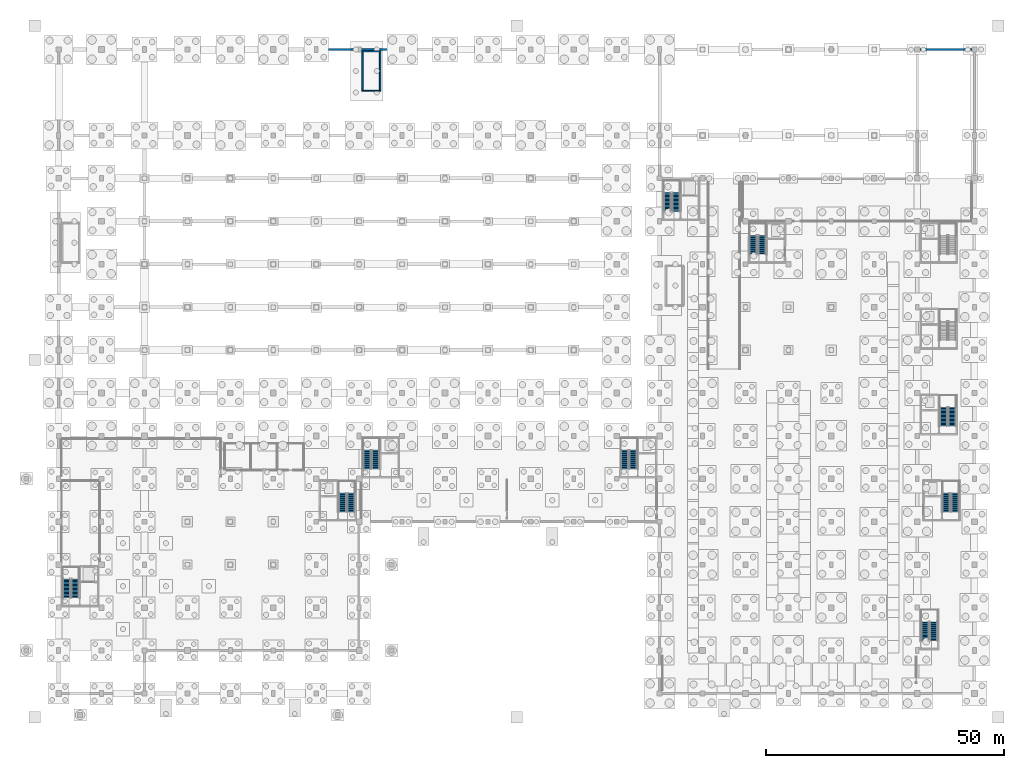
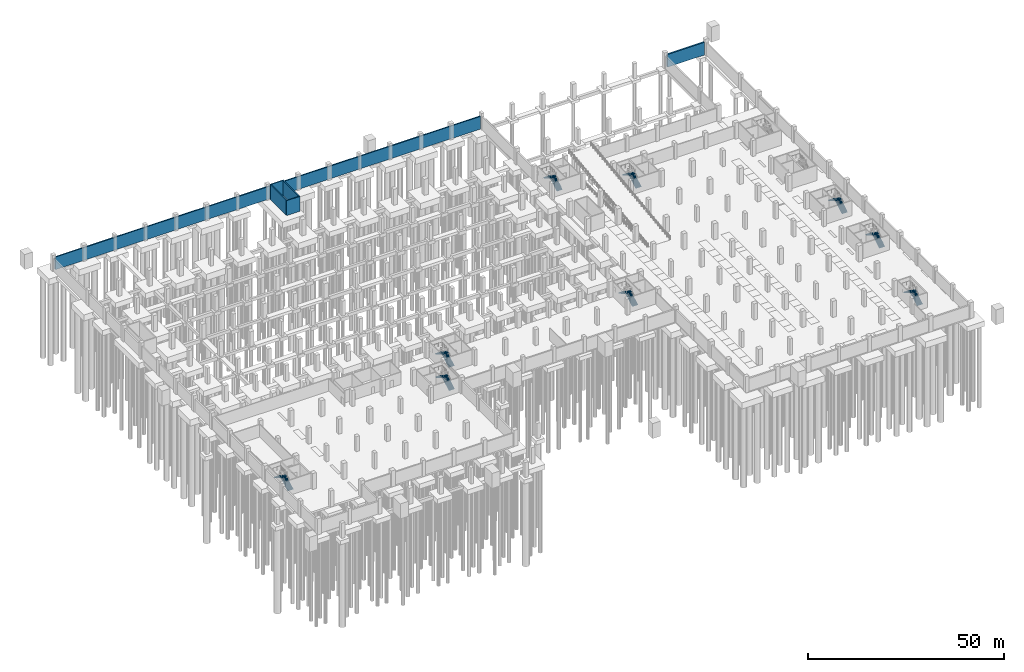
# One storey, part 22 of 37: 18 stair flights, 6 walls, 9 elements without a shape of their own.
"""IFC4 building model written with IfcOpenShell, lengths in metres."""

from ifc_helpers import new_model, si_unit, direction, frame, frame_2d, origin, place, context, subcontext, project, spatial, polyline, rectangle, outline, extrude, material, layer, layer_set, type_object, element, aggregate, save


model = new_model("IFC4")

# Units and contexts
model_context = context("Model", 3, precision=1e-05, world=origin(), true_north=direction((0.0, 1.0)))
body_context = subcontext(model_context, "Body", "Model", "MODEL_VIEW")
ifc_project = project(units=[si_unit("LENGTHUNIT", "METRE"), si_unit("AREAUNIT", "SQUARE_METRE"), si_unit("VOLUMEUNIT", "CUBIC_METRE"), si_unit("PLANEANGLEUNIT", "RADIAN"), si_unit("MASSUNIT", "GRAM", prefix="KILO")], contexts=[model_context])

# Site, building, storey
site_placement = place(None, origin())
site = spatial("IfcSite", under=ifc_project, at=site_placement, CompositionType="ELEMENT")
building_placement = place(site_placement, origin())
building = spatial("IfcBuilding", under=site, at=building_placement, Name="Barlavento Convention Centre", CompositionType="ELEMENT")
storey_placement = place(building_placement, frame((0.0, 0.0, -5.0)))
storey = spatial("IfcBuildingStorey", under=building, at=storey_placement, Name="B1", CompositionType="ELEMENT", Elevation=-5.0)

# Walls
ifc_material_1 = material(Name="Concrete C50/60", Category="concrete")
ifc_layer_1 = layer(ifc_material_1, 0.25)
ifc_layer_set_1 = layer_set([ifc_layer_1], Name="STR-WL-CORE-250")
wall_type_1 = type_object("IfcWallType", Name="STR-WL-CORE-250", PredefinedType="SHEAR", material=ifc_layer_set_1)
for number, where, z_axis, x_axis, name in (
    (1, (63.60009765625, 126.344970703125, 0.0), (0.0, 0.0, 1.0), (1.0, 0.0, 0.0), "B1 interior wall CW-02"),
    (2, (63.60009765625, 134.655029296875, 0.0), (0.0, 0.0, 1.0), (1.0, 0.0, 0.0), "B1 interior wall CW-02"),
):
    element("IfcWall", number, at=place(storey_placement, frame(where, z_axis=z_axis, x_axis=x_axis)), inside=storey, type_object=wall_type_1, Name=name, PredefinedType="SHEAR", context=body_context, shape_type="SweptSolid", body=[
        extrude(rectangle(XDim=3.93994140625, YDim=0.25, at=frame_2d((1.969970703125, 0.0))), origin(), (0.0, 0.0, 1.0), 4.6201171875),
    ])
ifc_layer_2 = layer(ifc_material_1, 0.300048828125)
ifc_layer_set_2 = layer_set([ifc_layer_2], Name="STR-WL-CORE-300")
wall_type_2 = type_object("IfcWallType", Name="STR-WL-CORE-300", PredefinedType="SHEAR", material=ifc_layer_set_2)
for number, where, z_axis, x_axis, name in (
    (3, (63.72509765625, 126.469970703125, 0.0), (0.0, 0.0, 1.0), (0.0, 1.0, 0.0), "B1 interior wall CW-01"),
    (4, (67.4150390625, 126.469970703125, 0.0), (0.0, 0.0, 1.0), (0.0, 1.0, 0.0), "B1 interior wall CW-01"),
):
    element("IfcWall", number, at=place(storey_placement, frame(where, z_axis=z_axis, x_axis=x_axis)), inside=storey, type_object=wall_type_2, Name=name, PredefinedType="SHEAR", context=body_context, shape_type="SweptSolid", body=[
        extrude(rectangle(XDim=8.06005859375, YDim=0.300048828125, at=frame_2d((4.030029296875, 0.0))), origin(), (0.0, 0.0, 1.0), 4.6201171875),
    ])
ifc_material_2 = material(Name="Concrete C40/50", Category="concrete")
ifc_layer_3 = layer(ifc_material_2, 0.449951171875)
ifc_layer_set_3 = layer_set([ifc_layer_3], Name="STR-WL-RET-450")
wall_type_3 = type_object("IfcWallType", Name="STR-WL-RET-450", PredefinedType="SHEAR", material=ifc_layer_set_3)
wall_1_placement = place(storey_placement, frame((180.544921875, 135.0, 0.0), z_axis=(0.0, 0.0, 1.0), x_axis=(1.0, 0.0, 0.0)))
element("IfcWall", 5, at=wall_1_placement, inside=storey, type_object=wall_type_3, Name="B1 exterior wall RW01", PredefinedType="SHEAR", context=body_context, shape_type="SweptSolid", body=[
    extrude(rectangle(XDim=10.91015625, YDim=0.449951171875, at=frame_2d((5.455078125, 0.0))), origin(), (0.0, 0.0, 1.0), 3.949951171875),
])
ifc_layer_4 = layer(ifc_material_2, 0.35009765625)
ifc_layer_set_4 = layer_set([ifc_layer_4], Name="STR-WL-SHR-350")
wall_type_4 = type_object("IfcWallType", Name="STR-WL-SHR-350", PredefinedType="SHEAR", material=ifc_layer_set_4)
wall_2_placement = place(storey_placement, frame((0.544921875, 135.0, 0.0), z_axis=(0.0, 0.0, 1.0), x_axis=(1.0, 0.0, 0.0)))
element("IfcWall", 6, at=wall_2_placement, inside=storey, type_object=wall_type_4, Name="B1 exterior wall SW02", PredefinedType="SHEAR", context=body_context, shape_type="SweptSolid", body=[
    extrude(rectangle(XDim=125.06005859375, YDim=0.35009765625, at=frame_2d((62.530029296875, 0.0))), origin(), (0.0, 0.0, 1.0), 3.949951171875),
])

# Stair, stair flights
stair_type_1 = type_object("IfcStairType", Name="ARC-STR-DOG-1600", PredefinedType="HALF_TURN_STAIR", material=ifc_material_2)
stair_1_placement = place(storey_placement, origin())
stair_1 = element("IfcStair", 7, at=stair_1_placement, inside=storey, type_object=stair_type_1, Name="B1 ST10", PredefinedType="HALF_TURN_STAIR")
stair_flight_type_1 = type_object("IfcStairFlightType", Name="ARC-FLT-STR-1600", PredefinedType="STRAIGHT", material=ifc_material_2)
stair_flight_1_placement = place(storey_placement, frame((129.449951171875, 101.070068359375, 0.0), z_axis=(0.0, 0.0, 1.0), x_axis=(0.0, 1.0, 0.0)))
stair_flight_1 = element("IfcStairFlight", 8, at=stair_flight_1_placement, type_object=stair_flight_type_1, Name="ST10 flight 1", NumberOfRisers=15, NumberOfTreads=14, PredefinedType="STRAIGHT", RiserHeight=0.166666667, TreadLength=0.28, context=body_context, shape_type="SweptSolid", body=[
    extrude(outline(polyline([(0.0, 0.0), (0.0, 0.166748046875), (0.280029296875, 0.166748046875), (0.280029296875, 0.333251953125), (0.56005859375, 0.333251953125), (0.56005859375, 0.5), (0.840087890625, 0.5), (0.840087890625, 0.666748046875), (1.1201171875, 0.666748046875), (1.1201171875, 0.833251953125), (1.39990234375, 0.833251953125), (1.39990234375, 1.0), (1.679931640625, 1.0), (1.679931640625, 1.166748046875), (1.9599609375, 1.166748046875), (1.9599609375, 1.333251953125), (2.239990234375, 1.333251953125), (2.239990234375, 1.5), (2.52001953125, 1.5), (2.52001953125, 1.666748046875), (2.800048828125, 1.666748046875), (2.800048828125, 1.833251953125), (3.080078125, 1.833251953125), (3.080078125, 2.0), (3.360107421875, 2.0), (3.360107421875, 2.166748046875), (3.639892578125, 2.166748046875), (3.639892578125, 2.333251953125), (3.919921875, 2.333251953125), (3.919921875, 2.5), (3.919921875, 2.158935546875), (0.29296875, 0.0), (0.0, 0.0)])), frame((0.0, 0.800048828125, 0.0), z_axis=(0.0, -1.0, 0.0), x_axis=(1.0, 0.0, 0.0)), (0.0, 0.0, 1.0), 1.60009765625),
])
stair_flight_2_placement = place(storey_placement, frame((127.64990234375, 104.989990234375, 2.5), z_axis=(0.0, 0.0, 1.0), x_axis=(0.0, -1.0, 0.0)))
stair_flight_2 = element("IfcStairFlight", 9, at=stair_flight_2_placement, type_object=stair_flight_type_1, Name="ST10 flight 2", NumberOfRisers=15, NumberOfTreads=14, PredefinedType="STRAIGHT", RiserHeight=0.166666667, TreadLength=0.28, context=body_context, shape_type="SweptSolid", body=[
    extrude(outline(polyline([(0.0, 0.0), (0.0, 0.166748046875), (0.280029296875, 0.166748046875), (0.280029296875, 0.333251953125), (0.56005859375, 0.333251953125), (0.56005859375, 0.5), (0.840087890625, 0.5), (0.840087890625, 0.666748046875), (1.1201171875, 0.666748046875), (1.1201171875, 0.833251953125), (1.39990234375, 0.833251953125), (1.39990234375, 1.0), (1.679931640625, 1.0), (1.679931640625, 1.166748046875), (1.9599609375, 1.166748046875), (1.9599609375, 1.333251953125), (2.239990234375, 1.333251953125), (2.239990234375, 1.5), (2.52001953125, 1.5), (2.52001953125, 1.666748046875), (2.800048828125, 1.666748046875), (2.800048828125, 1.833251953125), (3.080078125, 1.833251953125), (3.080078125, 2.0), (3.360107421875, 2.0), (3.360107421875, 2.166748046875), (3.639892578125, 2.166748046875), (3.639892578125, 2.333251953125), (3.919921875, 2.333251953125), (3.919921875, 2.5), (3.919921875, 2.158935546875), (0.29296875, 0.0), (0.0, 0.0)])), frame((0.0, 0.800048828125, 0.0), z_axis=(0.0, -1.0, 0.0), x_axis=(1.0, 0.0, 0.0)), (0.0, 0.0, 1.0), 1.60009765625),
])
aggregate(stair_1, [stair_flight_1, stair_flight_2])

stair_type_2 = type_object("IfcStairType", Name="ARC-STR-DOG-1620", PredefinedType="HALF_TURN_STAIR", material=ifc_material_2)
stair_2_placement = place(storey_placement, origin())
stair_2 = element("IfcStair", 10, at=stair_2_placement, inside=storey, type_object=stair_type_2, Name="B1 ST01", PredefinedType="HALF_TURN_STAIR")
stair_flight_type_2 = type_object("IfcStairFlightType", Name="ARC-FLT-STR-1620", PredefinedType="STRAIGHT", material=ifc_material_2)
stair_flight_3_placement = place(storey_placement, frame((3.47998046875, 20.090087890625, 0.0), z_axis=(0.0, 0.0, 1.0), x_axis=(0.0, 1.0, 0.0)))
stair_flight_3 = element("IfcStairFlight", 11, at=stair_flight_3_placement, type_object=stair_flight_type_2, Name="ST01 flight 1", NumberOfRisers=15, NumberOfTreads=14, PredefinedType="STRAIGHT", RiserHeight=0.166666667, TreadLength=0.28, context=body_context, shape_type="SweptSolid", body=[
    extrude(outline(polyline([(0.0, 0.0), (0.0, 0.166748046875), (0.280029296875, 0.166748046875), (0.280029296875, 0.333251953125), (0.56005859375, 0.333251953125), (0.56005859375, 0.5), (0.840087890625, 0.5), (0.840087890625, 0.666748046875), (1.1201171875, 0.666748046875), (1.1201171875, 0.833251953125), (1.39990234375, 0.833251953125), (1.39990234375, 1.0), (1.679931640625, 1.0), (1.679931640625, 1.166748046875), (1.9599609375, 1.166748046875), (1.9599609375, 1.333251953125), (2.239990234375, 1.333251953125), (2.239990234375, 1.5), (2.52001953125, 1.5), (2.52001953125, 1.666748046875), (2.800048828125, 1.666748046875), (2.800048828125, 1.833251953125), (3.080078125, 1.833251953125), (3.080078125, 2.0), (3.360107421875, 2.0), (3.360107421875, 2.166748046875), (3.639892578125, 2.166748046875), (3.639892578125, 2.333251953125), (3.919921875, 2.333251953125), (3.919921875, 2.5), (3.919921875, 2.158935546875), (0.29296875, 0.0), (0.0, 0.0)])), frame((0.0, 0.81005859375, 0.0), z_axis=(0.0, -1.0, 0.0), x_axis=(1.0, 0.0, 0.0)), (0.0, 0.0, 1.0), 1.6201171875),
])
stair_flight_4_placement = place(storey_placement, frame((1.659912109375, 24.010009765625, 2.5), z_axis=(0.0, 0.0, 1.0), x_axis=(0.0, -1.0, 0.0)))
stair_flight_4 = element("IfcStairFlight", 12, at=stair_flight_4_placement, type_object=stair_flight_type_2, Name="ST01 flight 2", NumberOfRisers=15, NumberOfTreads=14, PredefinedType="STRAIGHT", RiserHeight=0.166666667, TreadLength=0.28, context=body_context, shape_type="SweptSolid", body=[
    extrude(outline(polyline([(0.0, 0.0), (0.0, 0.166748046875), (0.280029296875, 0.166748046875), (0.280029296875, 0.333251953125), (0.56005859375, 0.333251953125), (0.56005859375, 0.5), (0.840087890625, 0.5), (0.840087890625, 0.666748046875), (1.1201171875, 0.666748046875), (1.1201171875, 0.833251953125), (1.39990234375, 0.833251953125), (1.39990234375, 1.0), (1.679931640625, 1.0), (1.679931640625, 1.166748046875), (1.9599609375, 1.166748046875), (1.9599609375, 1.333251953125), (2.239990234375, 1.333251953125), (2.239990234375, 1.5), (2.52001953125, 1.5), (2.52001953125, 1.666748046875), (2.800048828125, 1.666748046875), (2.800048828125, 1.833251953125), (3.080078125, 1.833251953125), (3.080078125, 2.0), (3.360107421875, 2.0), (3.360107421875, 2.166748046875), (3.639892578125, 2.166748046875), (3.639892578125, 2.333251953125), (3.919921875, 2.333251953125), (3.919921875, 2.5), (3.919921875, 2.158935546875), (0.29296875, 0.0), (0.0, 0.0)])), frame((0.0, 0.81005859375, 0.0), z_axis=(0.0, -1.0, 0.0), x_axis=(1.0, 0.0, 0.0)), (0.0, 0.0, 1.0), 1.6201171875),
])
aggregate(stair_2, [stair_flight_3, stair_flight_4])

stair_3_placement = place(storey_placement, origin())
stair_3 = element("IfcStair", 13, at=stair_3_placement, inside=storey, type_object=stair_type_2, Name="B1 ST02", PredefinedType="HALF_TURN_STAIR")
stair_flight_5_placement = place(storey_placement, frame((61.340087890625, 38.090087890625, 0.0), z_axis=(0.0, 0.0, 1.0), x_axis=(0.0, 1.0, 0.0)))
stair_flight_5 = element("IfcStairFlight", 14, at=stair_flight_5_placement, type_object=stair_flight_type_2, Name="ST02 flight 1", NumberOfRisers=15, NumberOfTreads=14, PredefinedType="STRAIGHT", RiserHeight=0.166666667, TreadLength=0.28, context=body_context, shape_type="SweptSolid", body=[
    extrude(outline(polyline([(0.0, 0.0), (0.0, 0.166748046875), (0.280029296875, 0.166748046875), (0.280029296875, 0.333251953125), (0.56005859375, 0.333251953125), (0.56005859375, 0.5), (0.840087890625, 0.5), (0.840087890625, 0.666748046875), (1.1201171875, 0.666748046875), (1.1201171875, 0.833251953125), (1.39990234375, 0.833251953125), (1.39990234375, 1.0), (1.679931640625, 1.0), (1.679931640625, 1.166748046875), (1.9599609375, 1.166748046875), (1.9599609375, 1.333251953125), (2.239990234375, 1.333251953125), (2.239990234375, 1.5), (2.52001953125, 1.5), (2.52001953125, 1.666748046875), (2.800048828125, 1.666748046875), (2.800048828125, 1.833251953125), (3.080078125, 1.833251953125), (3.080078125, 2.0), (3.360107421875, 2.0), (3.360107421875, 2.166748046875), (3.639892578125, 2.166748046875), (3.639892578125, 2.333251953125), (3.919921875, 2.333251953125), (3.919921875, 2.5), (3.919921875, 2.158935546875), (0.29296875, 0.0), (0.0, 0.0)])), frame((0.0, 0.81005859375, 0.0), z_axis=(0.0, -1.0, 0.0), x_axis=(1.0, 0.0, 0.0)), (0.0, 0.0, 1.0), 1.6201171875),
])
stair_flight_6_placement = place(storey_placement, frame((59.52001953125, 42.010009765625, 2.5), z_axis=(0.0, 0.0, 1.0), x_axis=(0.0, -1.0, 0.0)))
stair_flight_6 = element("IfcStairFlight", 15, at=stair_flight_6_placement, type_object=stair_flight_type_2, Name="ST02 flight 2", NumberOfRisers=15, NumberOfTreads=14, PredefinedType="STRAIGHT", RiserHeight=0.166666667, TreadLength=0.28, context=body_context, shape_type="SweptSolid", body=[
    extrude(outline(polyline([(0.0, 0.0), (0.0, 0.166748046875), (0.280029296875, 0.166748046875), (0.280029296875, 0.333251953125), (0.56005859375, 0.333251953125), (0.56005859375, 0.5), (0.840087890625, 0.5), (0.840087890625, 0.666748046875), (1.1201171875, 0.666748046875), (1.1201171875, 0.833251953125), (1.39990234375, 0.833251953125), (1.39990234375, 1.0), (1.679931640625, 1.0), (1.679931640625, 1.166748046875), (1.9599609375, 1.166748046875), (1.9599609375, 1.333251953125), (2.239990234375, 1.333251953125), (2.239990234375, 1.5), (2.52001953125, 1.5), (2.52001953125, 1.666748046875), (2.800048828125, 1.666748046875), (2.800048828125, 1.833251953125), (3.080078125, 1.833251953125), (3.080078125, 2.0), (3.360107421875, 2.0), (3.360107421875, 2.166748046875), (3.639892578125, 2.166748046875), (3.639892578125, 2.333251953125), (3.919921875, 2.333251953125), (3.919921875, 2.5), (3.919921875, 2.158935546875), (0.29296875, 0.0), (0.0, 0.0)])), frame((0.0, 0.81005859375, 0.0), z_axis=(0.0, -1.0, 0.0), x_axis=(1.0, 0.0, 0.0)), (0.0, 0.0, 1.0), 1.6201171875),
])
aggregate(stair_3, [stair_flight_5, stair_flight_6])

stair_4_placement = place(storey_placement, origin())
stair_4 = element("IfcStair", 16, at=stair_4_placement, inside=storey, type_object=stair_type_2, Name="B1 ST03", PredefinedType="HALF_TURN_STAIR")
stair_flight_7_placement = place(storey_placement, frame((66.47998046875, 47.090087890625, 0.0), z_axis=(0.0, 0.0, 1.0), x_axis=(0.0, 1.0, 0.0)))
stair_flight_7 = element("IfcStairFlight", 17, at=stair_flight_7_placement, type_object=stair_flight_type_2, Name="ST03 flight 1", NumberOfRisers=15, NumberOfTreads=14, PredefinedType="STRAIGHT", RiserHeight=0.166666667, TreadLength=0.28, context=body_context, shape_type="SweptSolid", body=[
    extrude(outline(polyline([(0.0, 0.0), (0.0, 0.166748046875), (0.280029296875, 0.166748046875), (0.280029296875, 0.333251953125), (0.56005859375, 0.333251953125), (0.56005859375, 0.5), (0.840087890625, 0.5), (0.840087890625, 0.666748046875), (1.1201171875, 0.666748046875), (1.1201171875, 0.833251953125), (1.39990234375, 0.833251953125), (1.39990234375, 1.0), (1.679931640625, 1.0), (1.679931640625, 1.166748046875), (1.9599609375, 1.166748046875), (1.9599609375, 1.333251953125), (2.239990234375, 1.333251953125), (2.239990234375, 1.5), (2.52001953125, 1.5), (2.52001953125, 1.666748046875), (2.800048828125, 1.666748046875), (2.800048828125, 1.833251953125), (3.080078125, 1.833251953125), (3.080078125, 2.0), (3.360107421875, 2.0), (3.360107421875, 2.166748046875), (3.639892578125, 2.166748046875), (3.639892578125, 2.333251953125), (3.919921875, 2.333251953125), (3.919921875, 2.5), (3.919921875, 2.158935546875), (0.29296875, 0.0), (0.0, 0.0)])), frame((0.0, 0.81005859375, 0.0), z_axis=(0.0, -1.0, 0.0), x_axis=(1.0, 0.0, 0.0)), (0.0, 0.0, 1.0), 1.6201171875),
])
stair_flight_8_placement = place(storey_placement, frame((64.659912109375, 51.010009765625, 2.5), z_axis=(0.0, 0.0, 1.0), x_axis=(0.0, -1.0, 0.0)))
stair_flight_8 = element("IfcStairFlight", 18, at=stair_flight_8_placement, type_object=stair_flight_type_2, Name="ST03 flight 2", NumberOfRisers=15, NumberOfTreads=14, PredefinedType="STRAIGHT", RiserHeight=0.166666667, TreadLength=0.28, context=body_context, shape_type="SweptSolid", body=[
    extrude(outline(polyline([(0.0, 0.0), (0.0, 0.166748046875), (0.280029296875, 0.166748046875), (0.280029296875, 0.333251953125), (0.56005859375, 0.333251953125), (0.56005859375, 0.5), (0.840087890625, 0.5), (0.840087890625, 0.666748046875), (1.1201171875, 0.666748046875), (1.1201171875, 0.833251953125), (1.39990234375, 0.833251953125), (1.39990234375, 1.0), (1.679931640625, 1.0), (1.679931640625, 1.166748046875), (1.9599609375, 1.166748046875), (1.9599609375, 1.333251953125), (2.239990234375, 1.333251953125), (2.239990234375, 1.5), (2.52001953125, 1.5), (2.52001953125, 1.666748046875), (2.800048828125, 1.666748046875), (2.800048828125, 1.833251953125), (3.080078125, 1.833251953125), (3.080078125, 2.0), (3.360107421875, 2.0), (3.360107421875, 2.166748046875), (3.639892578125, 2.166748046875), (3.639892578125, 2.333251953125), (3.919921875, 2.333251953125), (3.919921875, 2.5), (3.919921875, 2.158935546875), (0.29296875, 0.0), (0.0, 0.0)])), frame((0.0, 0.81005859375, 0.0), z_axis=(0.0, -1.0, 0.0), x_axis=(1.0, 0.0, 0.0)), (0.0, 0.0, 1.0), 1.6201171875),
])
aggregate(stair_4, [stair_flight_7, stair_flight_8])

stair_5_placement = place(storey_placement, origin())
stair_5 = element("IfcStair", 19, at=stair_5_placement, inside=storey, type_object=stair_type_2, Name="B1 ST04", PredefinedType="HALF_TURN_STAIR")
stair_flight_9_placement = place(storey_placement, frame((120.47998046875, 47.090087890625, 0.0), z_axis=(0.0, 0.0, 1.0), x_axis=(0.0, 1.0, 0.0)))
stair_flight_9 = element("IfcStairFlight", 20, at=stair_flight_9_placement, type_object=stair_flight_type_2, Name="ST04 flight 1", NumberOfRisers=15, NumberOfTreads=14, PredefinedType="STRAIGHT", RiserHeight=0.166666667, TreadLength=0.28, context=body_context, shape_type="SweptSolid", body=[
    extrude(outline(polyline([(0.0, 0.0), (0.0, 0.166748046875), (0.280029296875, 0.166748046875), (0.280029296875, 0.333251953125), (0.56005859375, 0.333251953125), (0.56005859375, 0.5), (0.840087890625, 0.5), (0.840087890625, 0.666748046875), (1.1201171875, 0.666748046875), (1.1201171875, 0.833251953125), (1.39990234375, 0.833251953125), (1.39990234375, 1.0), (1.679931640625, 1.0), (1.679931640625, 1.166748046875), (1.9599609375, 1.166748046875), (1.9599609375, 1.333251953125), (2.239990234375, 1.333251953125), (2.239990234375, 1.5), (2.52001953125, 1.5), (2.52001953125, 1.666748046875), (2.800048828125, 1.666748046875), (2.800048828125, 1.833251953125), (3.080078125, 1.833251953125), (3.080078125, 2.0), (3.360107421875, 2.0), (3.360107421875, 2.166748046875), (3.639892578125, 2.166748046875), (3.639892578125, 2.333251953125), (3.919921875, 2.333251953125), (3.919921875, 2.5), (3.919921875, 2.158935546875), (0.29296875, 0.0), (0.0, 0.0)])), frame((0.0, 0.81005859375, 0.0), z_axis=(0.0, -1.0, 0.0), x_axis=(1.0, 0.0, 0.0)), (0.0, 0.0, 1.0), 1.6201171875),
])
stair_flight_10_placement = place(storey_placement, frame((118.659912109375, 51.010009765625, 2.5), z_axis=(0.0, 0.0, 1.0), x_axis=(0.0, -1.0, 0.0)))
stair_flight_10 = element("IfcStairFlight", 21, at=stair_flight_10_placement, type_object=stair_flight_type_2, Name="ST04 flight 2", NumberOfRisers=15, NumberOfTreads=14, PredefinedType="STRAIGHT", RiserHeight=0.166666667, TreadLength=0.28, context=body_context, shape_type="SweptSolid", body=[
    extrude(outline(polyline([(0.0, 0.0), (0.0, 0.166748046875), (0.280029296875, 0.166748046875), (0.280029296875, 0.333251953125), (0.56005859375, 0.333251953125), (0.56005859375, 0.5), (0.840087890625, 0.5), (0.840087890625, 0.666748046875), (1.1201171875, 0.666748046875), (1.1201171875, 0.833251953125), (1.39990234375, 0.833251953125), (1.39990234375, 1.0), (1.679931640625, 1.0), (1.679931640625, 1.166748046875), (1.9599609375, 1.166748046875), (1.9599609375, 1.333251953125), (2.239990234375, 1.333251953125), (2.239990234375, 1.5), (2.52001953125, 1.5), (2.52001953125, 1.666748046875), (2.800048828125, 1.666748046875), (2.800048828125, 1.833251953125), (3.080078125, 1.833251953125), (3.080078125, 2.0), (3.360107421875, 2.0), (3.360107421875, 2.166748046875), (3.639892578125, 2.166748046875), (3.639892578125, 2.333251953125), (3.919921875, 2.333251953125), (3.919921875, 2.5), (3.919921875, 2.158935546875), (0.29296875, 0.0), (0.0, 0.0)])), frame((0.0, 0.81005859375, 0.0), z_axis=(0.0, -1.0, 0.0), x_axis=(1.0, 0.0, 0.0)), (0.0, 0.0, 1.0), 1.6201171875),
])
aggregate(stair_5, [stair_flight_9, stair_flight_10])

stair_6_placement = place(storey_placement, origin())
stair_6 = element("IfcStair", 22, at=stair_6_placement, inside=storey, type_object=stair_type_2, Name="B1 ST05", PredefinedType="HALF_TURN_STAIR")
stair_flight_11_placement = place(storey_placement, frame((187.340087890625, 56.090087890625, 0.0), z_axis=(0.0, 0.0, 1.0), x_axis=(0.0, 1.0, 0.0)))
stair_flight_11 = element("IfcStairFlight", 23, at=stair_flight_11_placement, type_object=stair_flight_type_2, Name="ST05 flight 1", NumberOfRisers=15, NumberOfTreads=14, PredefinedType="STRAIGHT", RiserHeight=0.166666667, TreadLength=0.28, context=body_context, shape_type="SweptSolid", body=[
    extrude(outline(polyline([(0.0, 0.0), (0.0, 0.166748046875), (0.280029296875, 0.166748046875), (0.280029296875, 0.333251953125), (0.56005859375, 0.333251953125), (0.56005859375, 0.5), (0.840087890625, 0.5), (0.840087890625, 0.666748046875), (1.1201171875, 0.666748046875), (1.1201171875, 0.833251953125), (1.39990234375, 0.833251953125), (1.39990234375, 1.0), (1.679931640625, 1.0), (1.679931640625, 1.166748046875), (1.9599609375, 1.166748046875), (1.9599609375, 1.333251953125), (2.239990234375, 1.333251953125), (2.239990234375, 1.5), (2.52001953125, 1.5), (2.52001953125, 1.666748046875), (2.800048828125, 1.666748046875), (2.800048828125, 1.833251953125), (3.080078125, 1.833251953125), (3.080078125, 2.0), (3.360107421875, 2.0), (3.360107421875, 2.166748046875), (3.639892578125, 2.166748046875), (3.639892578125, 2.333251953125), (3.919921875, 2.333251953125), (3.919921875, 2.5), (3.919921875, 2.158935546875), (0.29296875, 0.0), (0.0, 0.0)])), frame((0.0, 0.81005859375, 0.0), z_axis=(0.0, -1.0, 0.0), x_axis=(1.0, 0.0, 0.0)), (0.0, 0.0, 1.0), 1.6201171875),
])
stair_flight_12_placement = place(storey_placement, frame((185.52001953125, 60.010009765625, 2.5), z_axis=(0.0, 0.0, 1.0), x_axis=(0.0, -1.0, 0.0)))
stair_flight_12 = element("IfcStairFlight", 24, at=stair_flight_12_placement, type_object=stair_flight_type_2, Name="ST05 flight 2", NumberOfRisers=15, NumberOfTreads=14, PredefinedType="STRAIGHT", RiserHeight=0.166666667, TreadLength=0.28, context=body_context, shape_type="SweptSolid", body=[
    extrude(outline(polyline([(0.0, 0.0), (0.0, 0.166748046875), (0.280029296875, 0.166748046875), (0.280029296875, 0.333251953125), (0.56005859375, 0.333251953125), (0.56005859375, 0.5), (0.840087890625, 0.5), (0.840087890625, 0.666748046875), (1.1201171875, 0.666748046875), (1.1201171875, 0.833251953125), (1.39990234375, 0.833251953125), (1.39990234375, 1.0), (1.679931640625, 1.0), (1.679931640625, 1.166748046875), (1.9599609375, 1.166748046875), (1.9599609375, 1.333251953125), (2.239990234375, 1.333251953125), (2.239990234375, 1.5), (2.52001953125, 1.5), (2.52001953125, 1.666748046875), (2.800048828125, 1.666748046875), (2.800048828125, 1.833251953125), (3.080078125, 1.833251953125), (3.080078125, 2.0), (3.360107421875, 2.0), (3.360107421875, 2.166748046875), (3.639892578125, 2.166748046875), (3.639892578125, 2.333251953125), (3.919921875, 2.333251953125), (3.919921875, 2.5), (3.919921875, 2.158935546875), (0.29296875, 0.0), (0.0, 0.0)])), frame((0.0, 0.81005859375, 0.0), z_axis=(0.0, -1.0, 0.0), x_axis=(1.0, 0.0, 0.0)), (0.0, 0.0, 1.0), 1.6201171875),
])
aggregate(stair_6, [stair_flight_11, stair_flight_12])

stair_7_placement = place(storey_placement, origin())
stair_7 = element("IfcStair", 25, at=stair_7_placement, inside=storey, type_object=stair_type_2, Name="B1 ST06", PredefinedType="HALF_TURN_STAIR")
stair_flight_13_placement = place(storey_placement, frame((187.93994140625, 38.090087890625, 0.0), z_axis=(0.0, 0.0, 1.0), x_axis=(0.0, 1.0, 0.0)))
stair_flight_13 = element("IfcStairFlight", 26, at=stair_flight_13_placement, type_object=stair_flight_type_2, Name="ST06 flight 1", NumberOfRisers=15, NumberOfTreads=14, PredefinedType="STRAIGHT", RiserHeight=0.166666667, TreadLength=0.28, context=body_context, shape_type="SweptSolid", body=[
    extrude(outline(polyline([(0.0, 0.0), (0.0, 0.166748046875), (0.280029296875, 0.166748046875), (0.280029296875, 0.333251953125), (0.56005859375, 0.333251953125), (0.56005859375, 0.5), (0.840087890625, 0.5), (0.840087890625, 0.666748046875), (1.1201171875, 0.666748046875), (1.1201171875, 0.833251953125), (1.39990234375, 0.833251953125), (1.39990234375, 1.0), (1.679931640625, 1.0), (1.679931640625, 1.166748046875), (1.9599609375, 1.166748046875), (1.9599609375, 1.333251953125), (2.239990234375, 1.333251953125), (2.239990234375, 1.5), (2.52001953125, 1.5), (2.52001953125, 1.666748046875), (2.800048828125, 1.666748046875), (2.800048828125, 1.833251953125), (3.080078125, 1.833251953125), (3.080078125, 2.0), (3.360107421875, 2.0), (3.360107421875, 2.166748046875), (3.639892578125, 2.166748046875), (3.639892578125, 2.333251953125), (3.919921875, 2.333251953125), (3.919921875, 2.5), (3.919921875, 2.158935546875), (0.29296875, 0.0), (0.0, 0.0)])), frame((0.0, 0.81005859375, 0.0), z_axis=(0.0, -1.0, 0.0), x_axis=(1.0, 0.0, 0.0)), (0.0, 0.0, 1.0), 1.6201171875),
])
stair_flight_14_placement = place(storey_placement, frame((186.1201171875, 42.010009765625, 2.5), z_axis=(0.0, 0.0, 1.0), x_axis=(0.0, -1.0, 0.0)))
stair_flight_14 = element("IfcStairFlight", 27, at=stair_flight_14_placement, type_object=stair_flight_type_2, Name="ST06 flight 2", NumberOfRisers=15, NumberOfTreads=14, PredefinedType="STRAIGHT", RiserHeight=0.166666667, TreadLength=0.28, context=body_context, shape_type="SweptSolid", body=[
    extrude(outline(polyline([(0.0, 0.0), (0.0, 0.166748046875), (0.280029296875, 0.166748046875), (0.280029296875, 0.333251953125), (0.56005859375, 0.333251953125), (0.56005859375, 0.5), (0.840087890625, 0.5), (0.840087890625, 0.666748046875), (1.1201171875, 0.666748046875), (1.1201171875, 0.833251953125), (1.39990234375, 0.833251953125), (1.39990234375, 1.0), (1.679931640625, 1.0), (1.679931640625, 1.166748046875), (1.9599609375, 1.166748046875), (1.9599609375, 1.333251953125), (2.239990234375, 1.333251953125), (2.239990234375, 1.5), (2.52001953125, 1.5), (2.52001953125, 1.666748046875), (2.800048828125, 1.666748046875), (2.800048828125, 1.833251953125), (3.080078125, 1.833251953125), (3.080078125, 2.0), (3.360107421875, 2.0), (3.360107421875, 2.166748046875), (3.639892578125, 2.166748046875), (3.639892578125, 2.333251953125), (3.919921875, 2.333251953125), (3.919921875, 2.5), (3.919921875, 2.158935546875), (0.29296875, 0.0), (0.0, 0.0)])), frame((0.0, 0.81005859375, 0.0), z_axis=(0.0, -1.0, 0.0), x_axis=(1.0, 0.0, 0.0)), (0.0, 0.0, 1.0), 1.6201171875),
])
aggregate(stair_7, [stair_flight_13, stair_flight_14])

stair_8_placement = place(storey_placement, origin())
stair_8 = element("IfcStair", 28, at=stair_8_placement, inside=storey, type_object=stair_type_2, Name="B1 ST09", PredefinedType="HALF_TURN_STAIR")
stair_flight_15_placement = place(storey_placement, frame((147.47998046875, 92.090087890625, 0.0), z_axis=(0.0, 0.0, 1.0), x_axis=(0.0, 1.0, 0.0)))
stair_flight_15 = element("IfcStairFlight", 29, at=stair_flight_15_placement, type_object=stair_flight_type_2, Name="ST09 flight 1", NumberOfRisers=15, NumberOfTreads=14, PredefinedType="STRAIGHT", RiserHeight=0.166666667, TreadLength=0.28, context=body_context, shape_type="SweptSolid", body=[
    extrude(outline(polyline([(0.0, 0.0), (0.0, 0.166748046875), (0.280029296875, 0.166748046875), (0.280029296875, 0.333251953125), (0.56005859375, 0.333251953125), (0.56005859375, 0.5), (0.840087890625, 0.5), (0.840087890625, 0.666748046875), (1.1201171875, 0.666748046875), (1.1201171875, 0.833251953125), (1.39990234375, 0.833251953125), (1.39990234375, 1.0), (1.679931640625, 1.0), (1.679931640625, 1.166748046875), (1.9599609375, 1.166748046875), (1.9599609375, 1.333251953125), (2.239990234375, 1.333251953125), (2.239990234375, 1.5), (2.52001953125, 1.5), (2.52001953125, 1.666748046875), (2.800048828125, 1.666748046875), (2.800048828125, 1.833251953125), (3.080078125, 1.833251953125), (3.080078125, 2.0), (3.360107421875, 2.0), (3.360107421875, 2.166748046875), (3.639892578125, 2.166748046875), (3.639892578125, 2.333251953125), (3.919921875, 2.333251953125), (3.919921875, 2.5), (3.919921875, 2.158935546875), (0.29296875, 0.0), (0.0, 0.0)])), frame((0.0, 0.81005859375, 0.0), z_axis=(0.0, -1.0, 0.0), x_axis=(1.0, 0.0, 0.0)), (0.0, 0.0, 1.0), 1.6201171875),
])
stair_flight_16_placement = place(storey_placement, frame((145.659912109375, 96.010009765625, 2.5), z_axis=(0.0, 0.0, 1.0), x_axis=(0.0, -1.0, 0.0)))
stair_flight_16 = element("IfcStairFlight", 30, at=stair_flight_16_placement, type_object=stair_flight_type_2, Name="ST09 flight 2", NumberOfRisers=15, NumberOfTreads=14, PredefinedType="STRAIGHT", RiserHeight=0.166666667, TreadLength=0.28, context=body_context, shape_type="SweptSolid", body=[
    extrude(outline(polyline([(0.0, 0.0), (0.0, 0.166748046875), (0.280029296875, 0.166748046875), (0.280029296875, 0.333251953125), (0.56005859375, 0.333251953125), (0.56005859375, 0.5), (0.840087890625, 0.5), (0.840087890625, 0.666748046875), (1.1201171875, 0.666748046875), (1.1201171875, 0.833251953125), (1.39990234375, 0.833251953125), (1.39990234375, 1.0), (1.679931640625, 1.0), (1.679931640625, 1.166748046875), (1.9599609375, 1.166748046875), (1.9599609375, 1.333251953125), (2.239990234375, 1.333251953125), (2.239990234375, 1.5), (2.52001953125, 1.5), (2.52001953125, 1.666748046875), (2.800048828125, 1.666748046875), (2.800048828125, 1.833251953125), (3.080078125, 1.833251953125), (3.080078125, 2.0), (3.360107421875, 2.0), (3.360107421875, 2.166748046875), (3.639892578125, 2.166748046875), (3.639892578125, 2.333251953125), (3.919921875, 2.333251953125), (3.919921875, 2.5), (3.919921875, 2.158935546875), (0.29296875, 0.0), (0.0, 0.0)])), frame((0.0, 0.81005859375, 0.0), z_axis=(0.0, -1.0, 0.0), x_axis=(1.0, 0.0, 0.0)), (0.0, 0.0, 1.0), 1.6201171875),
])
aggregate(stair_8, [stair_flight_15, stair_flight_16])

stair_9_placement = place(storey_placement, origin())
stair_9 = element("IfcStair", 31, at=stair_9_placement, inside=storey, type_object=stair_type_2, Name="B1 ST14", PredefinedType="HALF_TURN_STAIR")
stair_flight_17_placement = place(storey_placement, frame((183.47998046875, 11.090087890625, 0.0), z_axis=(0.0, 0.0, 1.0), x_axis=(0.0, 1.0, 0.0)))
stair_flight_17 = element("IfcStairFlight", 32, at=stair_flight_17_placement, type_object=stair_flight_type_2, Name="ST14 flight 1", NumberOfRisers=15, NumberOfTreads=14, PredefinedType="STRAIGHT", RiserHeight=0.166666667, TreadLength=0.28, context=body_context, shape_type="SweptSolid", body=[
    extrude(outline(polyline([(0.0, 0.0), (0.0, 0.166748046875), (0.280029296875, 0.166748046875), (0.280029296875, 0.333251953125), (0.56005859375, 0.333251953125), (0.56005859375, 0.5), (0.840087890625, 0.5), (0.840087890625, 0.666748046875), (1.1201171875, 0.666748046875), (1.1201171875, 0.833251953125), (1.39990234375, 0.833251953125), (1.39990234375, 1.0), (1.679931640625, 1.0), (1.679931640625, 1.166748046875), (1.9599609375, 1.166748046875), (1.9599609375, 1.333251953125), (2.239990234375, 1.333251953125), (2.239990234375, 1.5), (2.52001953125, 1.5), (2.52001953125, 1.666748046875), (2.800048828125, 1.666748046875), (2.800048828125, 1.833251953125), (3.080078125, 1.833251953125), (3.080078125, 2.0), (3.360107421875, 2.0), (3.360107421875, 2.166748046875), (3.639892578125, 2.166748046875), (3.639892578125, 2.333251953125), (3.919921875, 2.333251953125), (3.919921875, 2.5), (3.919921875, 2.158935546875), (0.29296875, 0.0), (0.0, 0.0)])), frame((0.0, 0.81005859375, 0.0), z_axis=(0.0, -1.0, 0.0), x_axis=(1.0, 0.0, 0.0)), (0.0, 0.0, 1.0), 1.6201171875),
])
stair_flight_18_placement = place(storey_placement, frame((181.659912109375, 15.010009765625, 2.5), z_axis=(0.0, 0.0, 1.0), x_axis=(0.0, -1.0, 0.0)))
stair_flight_18 = element("IfcStairFlight", 33, at=stair_flight_18_placement, type_object=stair_flight_type_2, Name="ST14 flight 2", NumberOfRisers=15, NumberOfTreads=14, PredefinedType="STRAIGHT", RiserHeight=0.166666667, TreadLength=0.28, context=body_context, shape_type="SweptSolid", body=[
    extrude(outline(polyline([(0.0, 0.0), (0.0, 0.166748046875), (0.280029296875, 0.166748046875), (0.280029296875, 0.333251953125), (0.56005859375, 0.333251953125), (0.56005859375, 0.5), (0.840087890625, 0.5), (0.840087890625, 0.666748046875), (1.1201171875, 0.666748046875), (1.1201171875, 0.833251953125), (1.39990234375, 0.833251953125), (1.39990234375, 1.0), (1.679931640625, 1.0), (1.679931640625, 1.166748046875), (1.9599609375, 1.166748046875), (1.9599609375, 1.333251953125), (2.239990234375, 1.333251953125), (2.239990234375, 1.5), (2.52001953125, 1.5), (2.52001953125, 1.666748046875), (2.800048828125, 1.666748046875), (2.800048828125, 1.833251953125), (3.080078125, 1.833251953125), (3.080078125, 2.0), (3.360107421875, 2.0), (3.360107421875, 2.166748046875), (3.639892578125, 2.166748046875), (3.639892578125, 2.333251953125), (3.919921875, 2.333251953125), (3.919921875, 2.5), (3.919921875, 2.158935546875), (0.29296875, 0.0), (0.0, 0.0)])), frame((0.0, 0.81005859375, 0.0), z_axis=(0.0, -1.0, 0.0), x_axis=(1.0, 0.0, 0.0)), (0.0, 0.0, 1.0), 1.6201171875),
])
aggregate(stair_9, [stair_flight_17, stair_flight_18])

save(model, "model.ifc")
